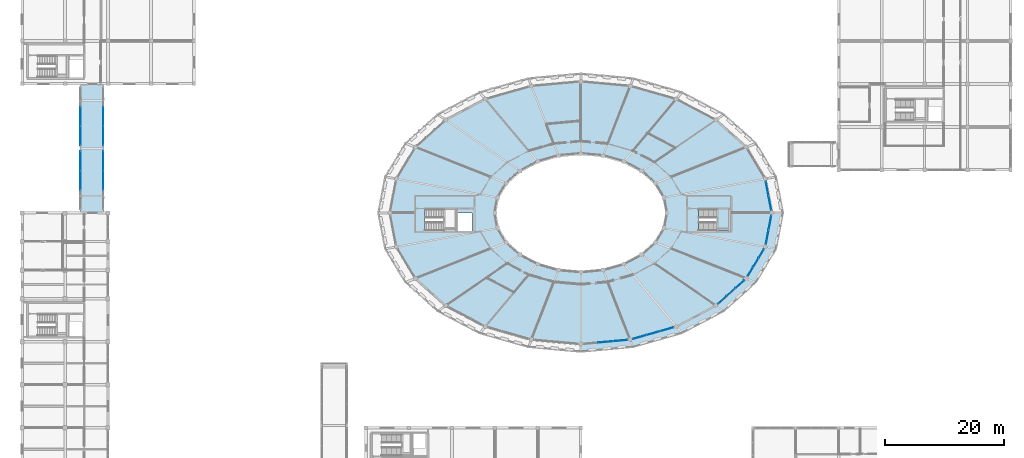
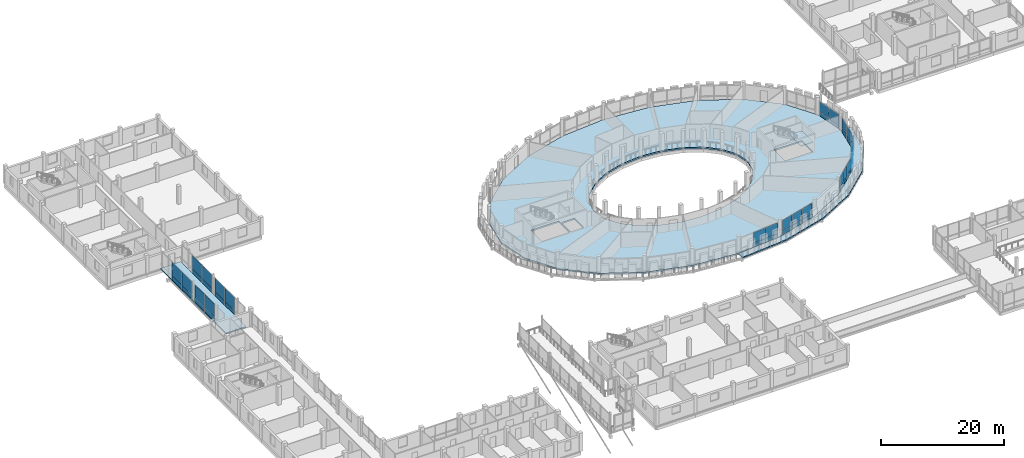
# One storey, part 100 of 128: 46 plates, 4 slabs, 11 elements without a shape of their own.
"""IFC4 building model written with IfcOpenShell, lengths in metres."""

from ifc_helpers import new_model, si_unit, direction, frame, origin, origin_2d, place, context, subcontext, project, spatial, polyline, rectangle, outline, extrude, material, layer, layer_set, type_object, element, aggregate, save


model = new_model("IFC4")

# Units and contexts
model_context = context("Model", 3, precision=1e-05, world=origin(), true_north=direction((0.0, 1.0)))
body_context = subcontext(model_context, "Body", "Model", "MODEL_VIEW")
ifc_project = project(units=[si_unit("LENGTHUNIT", "METRE"), si_unit("AREAUNIT", "SQUARE_METRE"), si_unit("VOLUMEUNIT", "CUBIC_METRE"), si_unit("PLANEANGLEUNIT", "RADIAN"), si_unit("MASSUNIT", "GRAM", prefix="KILO")], contexts=[model_context])

# Site, building, storey
site_placement = place(None, origin())
site = spatial("IfcSite", under=ifc_project, at=site_placement, CompositionType="ELEMENT")
building_placement = place(site_placement, origin())
building = spatial("IfcBuilding", under=site, at=building_placement, Name="Zornivar Specialist Clinic", CompositionType="ELEMENT")
storey_placement = place(building_placement, frame((0.0, 0.0, 4.5)))
storey = spatial("IfcBuildingStorey", under=building, at=storey_placement, Name="L01", CompositionType="ELEMENT", Elevation=4.5)

# Curtain wall, plates
ifc_material_1 = material(Name="Aluminium and Low-E Glass Curtain Wall", Category="aluminium")
curtain_wall_type_1 = type_object("IfcCurtainWallType", Name="CW-DRUM-FACET", PredefinedType="NOTDEFINED", material=ifc_material_1)
curtain_wall_1_placement = place(storey_placement, origin())
curtain_wall_1 = element("IfcCurtainWall", 1, at=curtain_wall_1_placement, inside=storey, type_object=curtain_wall_type_1, Name="cw:V1:L01:c23", PredefinedType="NOTDEFINED")
ifc_material_2 = material(Name="Insulated Bronze Spandrel Panel")
ifc_layer_1 = layer(ifc_material_2, 0.048095703125)
ifc_layer_set_1 = layer_set([ifc_layer_1], Name="Insulated Bronze Spandrel Panel")
plate_type_1 = type_object("IfcPlateType", Name="CWP-SPN-A", PredefinedType="CURTAIN_PANEL", material=ifc_layer_set_1)
plate_1_placement = place(storey_placement, frame((124.827880859375, 53.56494140625, 0.03076171875), z_axis=(0.0, 0.0, 1.0), x_axis=(0.187896976838, 0.982188742602, 0.0)))
plate_1 = element("IfcPlate", 2, at=plate_1_placement, type_object=plate_type_1, Name="cw:V1:L01:c23:spn:0", PredefinedType="CURTAIN_PANEL", context=body_context, shape_type="SweptSolid", body=[
    extrude(rectangle(XDim=2.34912109375, YDim=0.048095703125, at=origin_2d()), origin(), (0.0, 0.0, 1.0), 0.722900390625),
])
plate_2_placement = place(storey_placement, frame((125.282958984375, 55.94091796875, 0.03076171875), z_axis=(0.0, 0.0, 1.0), x_axis=(0.187896976838, 0.982188742602, 0.0)))
plate_2 = element("IfcPlate", 3, at=plate_2_placement, type_object=plate_type_1, Name="cw:V1:L01:c23:spn:1", PredefinedType="CURTAIN_PANEL", context=body_context, shape_type="SweptSolid", body=[
    extrude(rectangle(XDim=2.34912109375, YDim=0.048095703125, at=origin_2d()), origin(), (0.0, 0.0, 1.0), 0.722900390625),
])

curtain_wall_2_placement = place(storey_placement, origin())
curtain_wall_2 = element("IfcCurtainWall", 4, at=curtain_wall_2_placement, inside=storey, type_object=curtain_wall_type_1, Name="cw:V1:L01:c00", PredefinedType="NOTDEFINED")
ifc_material_3 = material(Name="Insulated Bronze Spandrel Panel")
ifc_layer_2 = layer(ifc_material_3, 0.048095703125)
ifc_layer_set_2 = layer_set([ifc_layer_2], Name="Insulated Bronze Spandrel Panel")
plate_type_2 = type_object("IfcPlateType", Name="CWP-SPN-B", PredefinedType="CURTAIN_PANEL", material=ifc_layer_set_2)
plate_3_placement = place(storey_placement, frame((125.281982421875, 59.259033203125, 0.03076171875), z_axis=(0.0, 0.0, 1.0), x_axis=(-0.187896976838, 0.982188742602, 0.0)))
plate_3 = element("IfcPlate", 5, at=plate_3_placement, type_object=plate_type_2, Name="cw:V1:L01:c00:spn:0", PredefinedType="CURTAIN_PANEL", context=body_context, shape_type="SweptSolid", body=[
    extrude(rectangle(XDim=2.34912109375, YDim=0.048095703125, at=origin_2d()), origin(), (0.0, 0.0, 1.0), 0.722900390625),
])
plate_4_placement = place(storey_placement, frame((124.826904296875, 61.635009765625, 0.03076171875), z_axis=(0.0, 0.0, 1.0), x_axis=(-0.187896976838, 0.982188742602, 0.0)))
plate_4 = element("IfcPlate", 6, at=plate_4_placement, type_object=plate_type_2, Name="cw:V1:L01:c00:spn:1", PredefinedType="CURTAIN_PANEL", context=body_context, shape_type="SweptSolid", body=[
    extrude(rectangle(XDim=2.34912109375, YDim=0.048095703125, at=origin_2d()), origin(), (0.0, 0.0, 1.0), 0.722900390625),
])

curtain_wall_3_placement = place(storey_placement, origin())
curtain_wall_3 = element("IfcCurtainWall", 7, at=curtain_wall_3_placement, inside=storey, type_object=curtain_wall_type_1, Name="cw:V1:L01:c18", PredefinedType="NOTDEFINED")
plate_5_placement = place(storey_placement, frame((97.740966796875, 35.97509765625, 0.03076171875), z_axis=(0.0, 0.0, 1.0), x_axis=(0.995932792393, 0.09009923993, 0.0)))
plate_5 = element("IfcPlate", 8, at=plate_5_placement, type_object=plate_type_2, Name="cw:V1:L01:c18:spn:1", PredefinedType="CURTAIN_PANEL", context=body_context, shape_type="SweptSolid", body=[
    extrude(rectangle(XDim=2.382080078125, YDim=0.048095703125, at=origin_2d()), origin(), (0.0, 0.0, 1.0), 0.722900390625),
])
plate_6_placement = place(storey_placement, frame((100.18310546875, 36.196044921875, 0.03076171875), z_axis=(0.0, 0.0, 1.0), x_axis=(0.995932792393, 0.09009923993, 0.0)))
plate_6 = element("IfcPlate", 9, at=plate_6_placement, type_object=plate_type_2, Name="cw:V1:L01:c18:spn:2", PredefinedType="CURTAIN_PANEL", context=body_context, shape_type="SweptSolid", body=[
    extrude(rectangle(XDim=2.382080078125, YDim=0.048095703125, at=origin_2d()), origin(), (0.0, 0.0, 1.0), 0.722900390625),
])

curtain_wall_4_placement = place(storey_placement, origin())
curtain_wall_4 = element("IfcCurtainWall", 10, at=curtain_wall_4_placement, inside=storey, type_object=curtain_wall_type_1, Name="cw:V1:L01:c19", PredefinedType="NOTDEFINED")
ifc_material_4 = material(Name="Insulated Bronze Spandrel Panel")
ifc_layer_3 = layer(ifc_material_4, 0.048095703125)
ifc_layer_set_3 = layer_set([ifc_layer_3], Name="Insulated Bronze Spandrel Panel")
plate_type_3 = type_object("IfcPlateType", Name="CWP-SPN-C", PredefinedType="CURTAIN_PANEL", material=ifc_layer_set_3)
plate_7_placement = place(storey_placement, frame((103.47607421875, 36.802978515625, 0.03076171875), z_axis=(0.0, 0.0, 1.0), x_axis=(0.961761244933, 0.273889225319, 0.0)))
plate_7 = element("IfcPlate", 11, at=plate_7_placement, type_object=plate_type_3, Name="cw:V1:L01:c19:spn:0", PredefinedType="CURTAIN_PANEL", context=body_context, shape_type="SweptSolid", body=[
    extrude(rectangle(XDim=2.284912109375, YDim=0.048095703125, at=origin_2d()), origin(), (0.0, 0.0, 1.0), 0.722900390625),
])
plate_8_placement = place(storey_placement, frame((105.740966796875, 37.447998046875, 0.03076171875), z_axis=(0.0, 0.0, 1.0), x_axis=(0.961761244933, 0.273889225319, 0.0)))
plate_8 = element("IfcPlate", 12, at=plate_8_placement, type_object=plate_type_3, Name="cw:V1:L01:c19:spn:1", PredefinedType="CURTAIN_PANEL", context=body_context, shape_type="SweptSolid", body=[
    extrude(rectangle(XDim=2.284912109375, YDim=0.048095703125, at=origin_2d()), origin(), (0.0, 0.0, 1.0), 0.722900390625),
])
plate_9_placement = place(storey_placement, frame((108.006103515625, 38.093017578125, 0.03076171875), z_axis=(0.0, 0.0, 1.0), x_axis=(0.961761244933, 0.273889225319, 0.0)))
plate_9 = element("IfcPlate", 13, at=plate_9_placement, type_object=plate_type_3, Name="cw:V1:L01:c19:spn:2", PredefinedType="CURTAIN_PANEL", context=body_context, shape_type="SweptSolid", body=[
    extrude(rectangle(XDim=2.284912109375, YDim=0.048095703125, at=origin_2d()), origin(), (0.0, 0.0, 1.0), 0.722900390625),
])

curtain_wall_5_placement = place(storey_placement, origin())
curtain_wall_5 = element("IfcCurtainWall", 14, at=curtain_wall_5_placement, inside=storey, type_object=curtain_wall_type_1, Name="cw:V1:L01:c21", PredefinedType="NOTDEFINED")
ifc_material_5 = material(Name="Insulated Bronze Spandrel Panel")
ifc_layer_4 = layer(ifc_material_5, 0.0458984375)
ifc_layer_set_4 = layer_set([ifc_layer_4], Name="Insulated Bronze Spandrel Panel")
plate_type_4 = type_object("IfcPlateType", Name="CWP-SPN-E", PredefinedType="CURTAIN_PANEL", material=ifc_layer_set_4)
plate_10_placement = place(storey_placement, frame((117.31298828125, 43.01708984375, 0.03076171875), z_axis=(0.0, 0.0, 1.0), x_axis=(0.744880599036, 0.667197791648, 0.0)))
plate_10 = element("IfcPlate", 15, at=plate_10_placement, type_object=plate_type_4, Name="cw:V1:L01:c21:spn:0", PredefinedType="CURTAIN_PANEL", context=body_context, shape_type="SweptSolid", body=[
    extrude(rectangle(XDim=1.885986328125, YDim=0.0458984375, at=origin_2d()), origin(), (0.0, 0.0, 1.0), 0.722900390625),
])
plate_11_placement = place(storey_placement, frame((118.77001953125, 44.322021484375, 0.03076171875), z_axis=(0.0, 0.0, 1.0), x_axis=(0.744880599036, 0.667197791648, 0.0)))
plate_11 = element("IfcPlate", 16, at=plate_11_placement, type_object=plate_type_4, Name="cw:V1:L01:c21:spn:1", PredefinedType="CURTAIN_PANEL", context=body_context, shape_type="SweptSolid", body=[
    extrude(rectangle(XDim=1.885986328125, YDim=0.0458984375, at=origin_2d()), origin(), (0.0, 0.0, 1.0), 0.722900390625),
])
plate_12_placement = place(storey_placement, frame((120.22705078125, 45.626953125, 0.03076171875), z_axis=(0.0, 0.0, 1.0), x_axis=(0.744880599036, 0.667197791648, 0.0)))
plate_12 = element("IfcPlate", 17, at=plate_12_placement, type_object=plate_type_4, Name="cw:V1:L01:c21:spn:2", PredefinedType="CURTAIN_PANEL", context=body_context, shape_type="SweptSolid", body=[
    extrude(rectangle(XDim=1.885009765625, YDim=0.0458984375, at=origin_2d()), origin(), (0.0, 0.0, 1.0), 0.722900390625),
])

ifc_material_6 = material(Name="Aluminium and Low-E Glass Curtain Wall", Category="aluminium")
curtain_wall_type_2 = type_object("IfcCurtainWallType", Name="CW-BRIDGE-LINK", PredefinedType="NOTDEFINED", material=ifc_material_6)
curtain_wall_6_placement = place(storey_placement, origin())
curtain_wall_6 = element("IfcCurtainWall", 18, at=curtain_wall_6_placement, inside=storey, type_object=curtain_wall_type_2, Name="cw:BR2:L01:W:0", PredefinedType="NOTDEFINED")
plate_13_placement = place(storey_placement, frame((9.800048828125, 63.06005859375, 0.030029296875), z_axis=(0.0, 0.0, 1.0), x_axis=(0.0, 1.0, 0.0)))
plate_13 = element("IfcPlate", 19, at=plate_13_placement, type_object=plate_type_4, Name="cw:BR2:L01:W:0:spn:1", PredefinedType="CURTAIN_PANEL", context=body_context, shape_type="SweptSolid", body=[
    extrude(rectangle(XDim=3.169921875, YDim=0.0458984375, at=origin_2d()), origin(), (0.0, 0.0, 1.0), 0.7900390625),
])
plate_14_placement = place(storey_placement, frame((9.800048828125, 66.300048828125, 0.030029296875), z_axis=(0.0, 0.0, 1.0), x_axis=(0.0, 1.0, 0.0)))
plate_14 = element("IfcPlate", 20, at=plate_14_placement, type_object=plate_type_4, Name="cw:BR2:L01:W:0:spn:2", PredefinedType="CURTAIN_PANEL", context=body_context, shape_type="SweptSolid", body=[
    extrude(rectangle(XDim=3.169921875, YDim=0.0458984375, at=origin_2d()), origin(), (0.0, 0.0, 1.0), 0.7900390625),
])

curtain_wall_7_placement = place(storey_placement, origin())
curtain_wall_7 = element("IfcCurtainWall", 21, at=curtain_wall_7_placement, inside=storey, type_object=curtain_wall_type_2, Name="cw:BR2:L01:W:1", PredefinedType="NOTDEFINED")
plate_15_placement = place(storey_placement, frame((9.800048828125, 70.5, 0.030029296875), z_axis=(0.0, 0.0, 1.0), x_axis=(0.0, 1.0, 0.0)))
plate_15 = element("IfcPlate", 22, at=plate_15_placement, type_object=plate_type_4, Name="cw:BR2:L01:W:1:spn:0", PredefinedType="CURTAIN_PANEL", context=body_context, shape_type="SweptSolid", body=[
    extrude(rectangle(XDim=3.169921875, YDim=0.0458984375, at=origin_2d()), origin(), (0.0, 0.0, 1.0), 0.7900390625),
])
plate_16_placement = place(storey_placement, frame((9.800048828125, 73.739990234375, 0.030029296875), z_axis=(0.0, 0.0, 1.0), x_axis=(0.0, 1.0, 0.0)))
plate_16 = element("IfcPlate", 23, at=plate_16_placement, type_object=plate_type_4, Name="cw:BR2:L01:W:1:spn:1", PredefinedType="CURTAIN_PANEL", context=body_context, shape_type="SweptSolid", body=[
    extrude(rectangle(XDim=3.169921875, YDim=0.0458984375, at=origin_2d()), origin(), (0.0, 0.0, 1.0), 0.7900390625),
])

curtain_wall_8_placement = place(storey_placement, origin())
curtain_wall_8 = element("IfcCurtainWall", 24, at=curtain_wall_8_placement, inside=storey, type_object=curtain_wall_type_2, Name="cw:BR2:L01:E:0", PredefinedType="NOTDEFINED")
plate_17_placement = place(storey_placement, frame((13.60009765625, 63.06005859375, 0.030029296875), z_axis=(0.0, 0.0, 1.0), x_axis=(0.0, 1.0, 0.0)))
plate_17 = element("IfcPlate", 25, at=plate_17_placement, type_object=plate_type_4, Name="cw:BR2:L01:E:0:spn:1", PredefinedType="CURTAIN_PANEL", context=body_context, shape_type="SweptSolid", body=[
    extrude(rectangle(XDim=3.169921875, YDim=0.0458984375, at=origin_2d()), origin(), (0.0, 0.0, 1.0), 0.7900390625),
])
plate_18_placement = place(storey_placement, frame((13.60009765625, 66.300048828125, 0.030029296875), z_axis=(0.0, 0.0, 1.0), x_axis=(0.0, 1.0, 0.0)))
plate_18 = element("IfcPlate", 26, at=plate_18_placement, type_object=plate_type_4, Name="cw:BR2:L01:E:0:spn:2", PredefinedType="CURTAIN_PANEL", context=body_context, shape_type="SweptSolid", body=[
    extrude(rectangle(XDim=3.169921875, YDim=0.0458984375, at=origin_2d()), origin(), (0.0, 0.0, 1.0), 0.7900390625),
])

curtain_wall_9_placement = place(storey_placement, origin())
curtain_wall_9 = element("IfcCurtainWall", 27, at=curtain_wall_9_placement, inside=storey, type_object=curtain_wall_type_2, Name="cw:BR2:L01:E:1", PredefinedType="NOTDEFINED")
plate_19_placement = place(storey_placement, frame((13.60009765625, 70.5, 0.030029296875), z_axis=(0.0, 0.0, 1.0), x_axis=(0.0, 1.0, 0.0)))
plate_19 = element("IfcPlate", 28, at=plate_19_placement, type_object=plate_type_4, Name="cw:BR2:L01:E:1:spn:0", PredefinedType="CURTAIN_PANEL", context=body_context, shape_type="SweptSolid", body=[
    extrude(rectangle(XDim=3.169921875, YDim=0.0458984375, at=origin_2d()), origin(), (0.0, 0.0, 1.0), 0.7900390625),
])
plate_20_placement = place(storey_placement, frame((13.60009765625, 73.739990234375, 0.030029296875), z_axis=(0.0, 0.0, 1.0), x_axis=(0.0, 1.0, 0.0)))
plate_20 = element("IfcPlate", 29, at=plate_20_placement, type_object=plate_type_4, Name="cw:BR2:L01:E:1:spn:1", PredefinedType="CURTAIN_PANEL", context=body_context, shape_type="SweptSolid", body=[
    extrude(rectangle(XDim=3.169921875, YDim=0.0458984375, at=origin_2d()), origin(), (0.0, 0.0, 1.0), 0.7900390625),
])

curtain_wall_10_placement = place(storey_placement, origin())
curtain_wall_10 = element("IfcCurtainWall", 30, at=curtain_wall_10_placement, inside=storey, type_object=curtain_wall_type_1, Name="cw:V1:L01:c22", PredefinedType="NOTDEFINED")
ifc_material_7 = material(Name="Insulated Terracotta Spandrel Panel", Category="masonry")
ifc_layer_5 = layer(ifc_material_7, 0.05810546875)
ifc_layer_set_5 = layer_set([ifc_layer_5], Name="Insulated Terracotta Spandrel Panel")
plate_type_5 = type_object("IfcPlateType", Name="CWP-SPN-F", PredefinedType="CURTAIN_PANEL", material=ifc_layer_set_5)
plate_21_placement = place(storey_placement, frame((122.010986328125, 47.759033203125, 0.03076171875), z_axis=(0.0, 0.0, 1.0), x_axis=(0.516127401954, 0.856511824175, 0.0)))
plate_21 = element("IfcPlate", 31, at=plate_21_placement, type_object=plate_type_5, Name="cw:V1:L01:c22:spn:0", PredefinedType="CURTAIN_PANEL", context=body_context, shape_type="SweptSolid", body=[
    extrude(rectangle(XDim=1.675048828125, YDim=0.05810546875, at=origin_2d()), origin(), (0.0, 0.0, 1.0), 0.722900390625),
])
plate_22_placement = place(storey_placement, frame((122.910888671875, 49.2529296875, 0.03076171875), z_axis=(0.0, 0.0, 1.0), x_axis=(0.516127401954, 0.856511824175, 0.0)))
plate_22 = element("IfcPlate", 32, at=plate_22_placement, type_object=plate_type_5, Name="cw:V1:L01:c22:spn:1", PredefinedType="CURTAIN_PANEL", context=body_context, shape_type="SweptSolid", body=[
    extrude(rectangle(XDim=1.675048828125, YDim=0.05810546875, at=origin_2d()), origin(), (0.0, 0.0, 1.0), 0.722900390625),
])
plate_23_placement = place(storey_placement, frame((123.81201171875, 50.748046875, 0.03076171875), z_axis=(0.0, 0.0, 1.0), x_axis=(0.516127401954, 0.856511824175, 0.0)))
plate_23 = element("IfcPlate", 33, at=plate_23_placement, type_object=plate_type_5, Name="cw:V1:L01:c22:spn:2", PredefinedType="CURTAIN_PANEL", context=body_context, shape_type="SweptSolid", body=[
    extrude(rectangle(XDim=1.675048828125, YDim=0.05810546875, at=origin_2d()), origin(), (0.0, 0.0, 1.0), 0.722900390625),
])

# Plate
ifc_material_8 = material(Name="Triple Low-E Vision Glass", Category="glass")
ifc_layer_6 = layer(ifc_material_8, 0.035888671875)
ifc_layer_set_6 = layer_set([ifc_layer_6], Name="Triple Low-E Vision Glass")
plate_type_6 = type_object("IfcPlateType", Name="CWP-VIS-A", PredefinedType="CURTAIN_PANEL", material=ifc_layer_set_6)
plate_24_placement = place(storey_placement, frame((103.47607421875, 36.802978515625, 0.81787109375), z_axis=(0.0, 0.0, 1.0), x_axis=(0.961761244933, 0.273889225319, 0.0)))
plate_24 = element("IfcPlate", 34, at=plate_24_placement, type_object=plate_type_6, Name="cw:V1:L01:c19:vis:0", PredefinedType="CURTAIN_PANEL", context=body_context, shape_type="SweptSolid", body=[
    extrude(rectangle(XDim=2.284912109375, YDim=0.035888671875, at=origin_2d()), origin(), (0.0, 0.0, 1.0), 2.092041015625),
])

plate_25_placement = place(storey_placement, frame((105.740966796875, 37.447998046875, 0.81787109375), z_axis=(0.0, 0.0, 1.0), x_axis=(0.961761244933, 0.273889225319, 0.0)))
plate_25 = element("IfcPlate", 35, at=plate_25_placement, type_object=plate_type_6, Name="cw:V1:L01:c19:vis:1", PredefinedType="CURTAIN_PANEL", context=body_context, shape_type="SweptSolid", body=[
    extrude(rectangle(XDim=2.284912109375, YDim=0.035888671875, at=origin_2d()), origin(), (0.0, 0.0, 1.0), 2.092041015625),
])

plate_26_placement = place(storey_placement, frame((108.006103515625, 38.093017578125, 0.81787109375), z_axis=(0.0, 0.0, 1.0), x_axis=(0.961761244933, 0.273889225319, 0.0)))
plate_26 = element("IfcPlate", 36, at=plate_26_placement, type_object=plate_type_6, Name="cw:V1:L01:c19:vis:2", PredefinedType="CURTAIN_PANEL", context=body_context, shape_type="SweptSolid", body=[
    extrude(rectangle(XDim=2.284912109375, YDim=0.035888671875, at=origin_2d()), origin(), (0.0, 0.0, 1.0), 2.092041015625),
])

aggregate(curtain_wall_4, [plate_7, plate_24, plate_8, plate_25, plate_9, plate_26])

ifc_material_9 = material(Name="Triple Low-E Vision Glass", Category="glass")
ifc_layer_7 = layer(ifc_material_9, 0.035888671875)
ifc_layer_set_7 = layer_set([ifc_layer_7], Name="Triple Low-E Vision Glass")
plate_type_7 = type_object("IfcPlateType", Name="CWP-VIS-B", PredefinedType="CURTAIN_PANEL", material=ifc_layer_set_7)
plate_27_placement = place(storey_placement, frame((125.281982421875, 59.259033203125, 0.81787109375), z_axis=(0.0, 0.0, 1.0), x_axis=(-0.187896976838, 0.982188742602, 0.0)))
plate_27 = element("IfcPlate", 37, at=plate_27_placement, type_object=plate_type_7, Name="cw:V1:L01:c00:vis:0", PredefinedType="CURTAIN_PANEL", context=body_context, shape_type="SweptSolid", body=[
    extrude(rectangle(XDim=2.34912109375, YDim=0.035888671875, at=origin_2d()), origin(), (0.0, 0.0, 1.0), 2.092041015625),
])

plate_28_placement = place(storey_placement, frame((124.826904296875, 61.635009765625, 0.81787109375), z_axis=(0.0, 0.0, 1.0), x_axis=(-0.187896976838, 0.982188742602, 0.0)))
plate_28 = element("IfcPlate", 38, at=plate_28_placement, type_object=plate_type_7, Name="cw:V1:L01:c00:vis:1", PredefinedType="CURTAIN_PANEL", context=body_context, shape_type="SweptSolid", body=[
    extrude(rectangle(XDim=2.34912109375, YDim=0.035888671875, at=origin_2d()), origin(), (0.0, 0.0, 1.0), 2.092041015625),
])

aggregate(curtain_wall_2, [plate_3, plate_27, plate_4, plate_28])

ifc_material_10 = material(Name="Triple Low-E Vision Glass", Category="glass")
ifc_layer_8 = layer(ifc_material_10, 0.035888671875)
ifc_layer_set_8 = layer_set([ifc_layer_8], Name="Triple Low-E Vision Glass")
plate_type_8 = type_object("IfcPlateType", Name="CWP-VIS-C", PredefinedType="CURTAIN_PANEL", material=ifc_layer_set_8)
plate_29_placement = place(storey_placement, frame((117.31298828125, 43.01708984375, 0.81787109375), z_axis=(0.0, 0.0, 1.0), x_axis=(0.744880599036, 0.667197791648, 0.0)))
plate_29 = element("IfcPlate", 39, at=plate_29_placement, type_object=plate_type_8, Name="cw:V1:L01:c21:vis:0", PredefinedType="CURTAIN_PANEL", context=body_context, shape_type="SweptSolid", body=[
    extrude(rectangle(XDim=1.885986328125, YDim=0.035888671875, at=origin_2d()), origin(), (0.0, 0.0, 1.0), 2.092041015625),
])

plate_30_placement = place(storey_placement, frame((118.77001953125, 44.322021484375, 0.81787109375), z_axis=(0.0, 0.0, 1.0), x_axis=(0.744880599036, 0.667197791648, 0.0)))
plate_30 = element("IfcPlate", 40, at=plate_30_placement, type_object=plate_type_8, Name="cw:V1:L01:c21:vis:1", PredefinedType="CURTAIN_PANEL", context=body_context, shape_type="SweptSolid", body=[
    extrude(rectangle(XDim=1.885986328125, YDim=0.035888671875, at=origin_2d()), origin(), (0.0, 0.0, 1.0), 2.092041015625),
])

plate_31_placement = place(storey_placement, frame((120.22705078125, 45.626953125, 0.81787109375), z_axis=(0.0, 0.0, 1.0), x_axis=(0.744880599036, 0.667197791648, 0.0)))
plate_31 = element("IfcPlate", 41, at=plate_31_placement, type_object=plate_type_8, Name="cw:V1:L01:c21:vis:2", PredefinedType="CURTAIN_PANEL", context=body_context, shape_type="SweptSolid", body=[
    extrude(rectangle(XDim=1.885009765625, YDim=0.035888671875, at=origin_2d()), origin(), (0.0, 0.0, 1.0), 2.092041015625),
])

aggregate(curtain_wall_5, [plate_10, plate_29, plate_11, plate_30, plate_12, plate_31])

ifc_material_11 = material(Name="Triple Low-E Vision Glass", Category="glass")
ifc_layer_9 = layer(ifc_material_11, 0.0380859375)
ifc_layer_set_9 = layer_set([ifc_layer_9], Name="Triple Low-E Vision Glass")
plate_type_9 = type_object("IfcPlateType", Name="CWP-VIS-D", PredefinedType="CURTAIN_PANEL", material=ifc_layer_set_9)
plate_32_placement = place(storey_placement, frame((122.010986328125, 47.759033203125, 0.81787109375), z_axis=(0.0, 0.0, 1.0), x_axis=(0.516127401954, 0.856511824175, 0.0)))
plate_32 = element("IfcPlate", 42, at=plate_32_placement, type_object=plate_type_9, Name="cw:V1:L01:c22:vis:0", PredefinedType="CURTAIN_PANEL", context=body_context, shape_type="SweptSolid", body=[
    extrude(rectangle(XDim=1.675048828125, YDim=0.0380859375, at=origin_2d()), origin(), (0.0, 0.0, 1.0), 2.092041015625),
])

plate_33_placement = place(storey_placement, frame((122.910888671875, 49.2529296875, 0.81787109375), z_axis=(0.0, 0.0, 1.0), x_axis=(0.516127401954, 0.856511824175, 0.0)))
plate_33 = element("IfcPlate", 43, at=plate_33_placement, type_object=plate_type_9, Name="cw:V1:L01:c22:vis:1", PredefinedType="CURTAIN_PANEL", context=body_context, shape_type="SweptSolid", body=[
    extrude(rectangle(XDim=1.675048828125, YDim=0.0380859375, at=origin_2d()), origin(), (0.0, 0.0, 1.0), 2.092041015625),
])

plate_34_placement = place(storey_placement, frame((123.81201171875, 50.748046875, 0.81787109375), z_axis=(0.0, 0.0, 1.0), x_axis=(0.516127401954, 0.856511824175, 0.0)))
plate_34 = element("IfcPlate", 44, at=plate_34_placement, type_object=plate_type_9, Name="cw:V1:L01:c22:vis:2", PredefinedType="CURTAIN_PANEL", context=body_context, shape_type="SweptSolid", body=[
    extrude(rectangle(XDim=1.675048828125, YDim=0.0380859375, at=origin_2d()), origin(), (0.0, 0.0, 1.0), 2.092041015625),
])

aggregate(curtain_wall_10, [plate_21, plate_32, plate_22, plate_33, plate_23, plate_34])

ifc_material_12 = material(Name="Triple Low-E Vision Glass", Category="glass")
ifc_layer_10 = layer(ifc_material_12, 0.035888671875)
ifc_layer_set_10 = layer_set([ifc_layer_10], Name="Triple Low-E Vision Glass")
plate_type_10 = type_object("IfcPlateType", Name="CWP-VIS-E", PredefinedType="CURTAIN_PANEL", material=ifc_layer_set_10)
plate_35_placement = place(storey_placement, frame((124.827880859375, 53.56494140625, 0.81787109375), z_axis=(0.0, 0.0, 1.0), x_axis=(0.187896976838, 0.982188742602, 0.0)))
plate_35 = element("IfcPlate", 45, at=plate_35_placement, type_object=plate_type_10, Name="cw:V1:L01:c23:vis:0", PredefinedType="CURTAIN_PANEL", context=body_context, shape_type="SweptSolid", body=[
    extrude(rectangle(XDim=2.34912109375, YDim=0.035888671875, at=origin_2d()), origin(), (0.0, 0.0, 1.0), 2.092041015625),
])

plate_36_placement = place(storey_placement, frame((125.282958984375, 55.94091796875, 0.81787109375), z_axis=(0.0, 0.0, 1.0), x_axis=(0.187896976838, 0.982188742602, 0.0)))
plate_36 = element("IfcPlate", 46, at=plate_36_placement, type_object=plate_type_10, Name="cw:V1:L01:c23:vis:1", PredefinedType="CURTAIN_PANEL", context=body_context, shape_type="SweptSolid", body=[
    extrude(rectangle(XDim=2.34912109375, YDim=0.035888671875, at=origin_2d()), origin(), (0.0, 0.0, 1.0), 2.092041015625),
])

aggregate(curtain_wall_1, [plate_1, plate_35, plate_2, plate_36])

ifc_material_13 = material(Name="Solar-Control Wintergarden Glass", Category="glass")
ifc_layer_11 = layer(ifc_material_13, 0.0380859375)
ifc_layer_set_11 = layer_set([ifc_layer_11], Name="Solar-Control Wintergarden Glass")
plate_type_11 = type_object("IfcPlateType", Name="CWP-VIS-L", PredefinedType="CURTAIN_PANEL", material=ifc_layer_set_11)
plate_37_placement = place(storey_placement, frame((97.740966796875, 35.97509765625, 0.81787109375), z_axis=(0.0, 0.0, 1.0), x_axis=(0.995932792393, 0.09009923993, 0.0)))
plate_37 = element("IfcPlate", 47, at=plate_37_placement, type_object=plate_type_11, Name="cw:V1:L01:c18:vis:1", PredefinedType="CURTAIN_PANEL", context=body_context, shape_type="SweptSolid", body=[
    extrude(rectangle(XDim=2.382080078125, YDim=0.0380859375, at=origin_2d()), origin(), (0.0, 0.0, 1.0), 2.092041015625),
])

plate_38_placement = place(storey_placement, frame((100.18310546875, 36.196044921875, 0.81787109375), z_axis=(0.0, 0.0, 1.0), x_axis=(0.995932792393, 0.09009923993, 0.0)))
plate_38 = element("IfcPlate", 48, at=plate_38_placement, type_object=plate_type_11, Name="cw:V1:L01:c18:vis:2", PredefinedType="CURTAIN_PANEL", context=body_context, shape_type="SweptSolid", body=[
    extrude(rectangle(XDim=2.382080078125, YDim=0.0380859375, at=origin_2d()), origin(), (0.0, 0.0, 1.0), 2.092041015625),
])

aggregate(curtain_wall_3, [plate_5, plate_37, plate_6, plate_38])

ifc_material_14 = material(Name="Bridge Acoustic Laminated Glass", Category="glass")
ifc_layer_12 = layer(ifc_material_14, 0.035888671875)
ifc_layer_set_12 = layer_set([ifc_layer_12], Name="Bridge Acoustic Laminated Glass")
plate_type_12 = type_object("IfcPlateType", Name="CWP-VIS-M", PredefinedType="CURTAIN_PANEL", material=ifc_layer_set_12)
plate_39_placement = place(storey_placement, frame((9.800048828125, 63.06005859375, 0.88427734375), z_axis=(0.0, 0.0, 1.0), x_axis=(0.0, 1.0, 0.0)))
plate_39 = element("IfcPlate", 49, at=plate_39_placement, type_object=plate_type_12, Name="cw:BR2:L01:W:0:vis:1", PredefinedType="CURTAIN_PANEL", context=body_context, shape_type="SweptSolid", body=[
    extrude(rectangle(XDim=3.169921875, YDim=0.035888671875, at=origin_2d()), origin(), (0.0, 0.0, 1.0), 2.655029296875),
])

plate_40_placement = place(storey_placement, frame((9.800048828125, 66.300048828125, 0.88427734375), z_axis=(0.0, 0.0, 1.0), x_axis=(0.0, 1.0, 0.0)))
plate_40 = element("IfcPlate", 50, at=plate_40_placement, type_object=plate_type_12, Name="cw:BR2:L01:W:0:vis:2", PredefinedType="CURTAIN_PANEL", context=body_context, shape_type="SweptSolid", body=[
    extrude(rectangle(XDim=3.169921875, YDim=0.035888671875, at=origin_2d()), origin(), (0.0, 0.0, 1.0), 2.655029296875),
])

aggregate(curtain_wall_6, [plate_13, plate_39, plate_14, plate_40])

plate_41_placement = place(storey_placement, frame((9.800048828125, 70.5, 0.88427734375), z_axis=(0.0, 0.0, 1.0), x_axis=(0.0, 1.0, 0.0)))
plate_41 = element("IfcPlate", 51, at=plate_41_placement, type_object=plate_type_12, Name="cw:BR2:L01:W:1:vis:0", PredefinedType="CURTAIN_PANEL", context=body_context, shape_type="SweptSolid", body=[
    extrude(rectangle(XDim=3.169921875, YDim=0.035888671875, at=origin_2d()), origin(), (0.0, 0.0, 1.0), 2.655029296875),
])

plate_42_placement = place(storey_placement, frame((9.800048828125, 73.739990234375, 0.88427734375), z_axis=(0.0, 0.0, 1.0), x_axis=(0.0, 1.0, 0.0)))
plate_42 = element("IfcPlate", 52, at=plate_42_placement, type_object=plate_type_12, Name="cw:BR2:L01:W:1:vis:1", PredefinedType="CURTAIN_PANEL", context=body_context, shape_type="SweptSolid", body=[
    extrude(rectangle(XDim=3.169921875, YDim=0.035888671875, at=origin_2d()), origin(), (0.0, 0.0, 1.0), 2.655029296875),
])

aggregate(curtain_wall_7, [plate_15, plate_41, plate_16, plate_42])

plate_43_placement = place(storey_placement, frame((13.60009765625, 63.06005859375, 0.88427734375), z_axis=(0.0, 0.0, 1.0), x_axis=(0.0, 1.0, 0.0)))
plate_43 = element("IfcPlate", 53, at=plate_43_placement, type_object=plate_type_12, Name="cw:BR2:L01:E:0:vis:1", PredefinedType="CURTAIN_PANEL", context=body_context, shape_type="SweptSolid", body=[
    extrude(rectangle(XDim=3.169921875, YDim=0.035888671875, at=origin_2d()), origin(), (0.0, 0.0, 1.0), 2.655029296875),
])

plate_44_placement = place(storey_placement, frame((13.60009765625, 66.300048828125, 0.88427734375), z_axis=(0.0, 0.0, 1.0), x_axis=(0.0, 1.0, 0.0)))
plate_44 = element("IfcPlate", 54, at=plate_44_placement, type_object=plate_type_12, Name="cw:BR2:L01:E:0:vis:2", PredefinedType="CURTAIN_PANEL", context=body_context, shape_type="SweptSolid", body=[
    extrude(rectangle(XDim=3.169921875, YDim=0.035888671875, at=origin_2d()), origin(), (0.0, 0.0, 1.0), 2.655029296875),
])

aggregate(curtain_wall_8, [plate_17, plate_43, plate_18, plate_44])

plate_45_placement = place(storey_placement, frame((13.60009765625, 70.5, 0.88427734375), z_axis=(0.0, 0.0, 1.0), x_axis=(0.0, 1.0, 0.0)))
plate_45 = element("IfcPlate", 55, at=plate_45_placement, type_object=plate_type_12, Name="cw:BR2:L01:E:1:vis:0", PredefinedType="CURTAIN_PANEL", context=body_context, shape_type="SweptSolid", body=[
    extrude(rectangle(XDim=3.169921875, YDim=0.035888671875, at=origin_2d()), origin(), (0.0, 0.0, 1.0), 2.655029296875),
])

plate_46_placement = place(storey_placement, frame((13.60009765625, 73.739990234375, 0.88427734375), z_axis=(0.0, 0.0, 1.0), x_axis=(0.0, 1.0, 0.0)))
plate_46 = element("IfcPlate", 56, at=plate_46_placement, type_object=plate_type_12, Name="cw:BR2:L01:E:1:vis:1", PredefinedType="CURTAIN_PANEL", context=body_context, shape_type="SweptSolid", body=[
    extrude(rectangle(XDim=3.169921875, YDim=0.035888671875, at=origin_2d()), origin(), (0.0, 0.0, 1.0), 2.655029296875),
])

aggregate(curtain_wall_9, [plate_19, plate_45, plate_20, plate_46])

# Slabs
ifc_material_15 = material(Name="Concrete C30/37", Category="concrete")
ifc_layer_13 = layer(ifc_material_15, 0.239990234375)
ifc_layer_set_13 = layer_set([ifc_layer_13], Name="Concrete C30/37")
slab_type_1 = type_object("IfcSlabType", Name="SLB-EXT-BALC-240", PredefinedType="FLOOR", material=ifc_layer_set_13)
slab_1_placement = place(storey_placement, frame((0.0, 0.0, -0.239990234375)))
element("IfcSlab", 57, at=slab_1_placement, inside=storey, type_object=slab_type_1, Name="slab:V1:L01:balc:q3", PredefinedType="FLOOR", context=body_context, shape_type="SweptSolid", body=[
    extrude(outline(polyline([(93.60009765625, 35.60009765625), (101.882080078125, 36.35009765625), (109.60009765625, 38.547119140625), (116.22705078125, 42.0439453125), (121.31298828125, 46.60009765625), (124.510009765625, 51.906005859375), (125.60009765625, 57.60009765625), (127.52001953125, 57.60009765625), (126.364013671875, 51.56396484375), (122.97607421875, 45.93994140625), (117.5849609375, 41.110107421875), (110.56005859375, 37.404052734375), (102.37890625, 35.074951171875), (93.60009765625, 34.280029296875), (93.60009765625, 35.60009765625)])), origin(), (0.0, 0.0, 1.0), 0.239990234375),
])
ifc_material_16 = material(Name="Concrete C30/37", Category="concrete")
ifc_layer_14 = layer(ifc_material_16, 0.22998046875)
ifc_layer_set_14 = layer_set([ifc_layer_14], Name="Concrete C30/37")
slab_type_2 = type_object("IfcSlabType", Name="SLB-FLR-BRG-230", PredefinedType="FLOOR", material=ifc_layer_set_14)
slab_2_placement = place(storey_placement, frame((0.0, 0.0, -0.22998046875)))
element("IfcSlab", 58, at=slab_2_placement, inside=storey, type_object=slab_type_2, Name="slab:BR2:L01:deck", PredefinedType="FLOOR", context=body_context, shape_type="SweptSolid", body=[
    extrude(outline(polyline([(9.800048828125, 57.719970703125), (13.60009765625, 57.719970703125), (13.60009765625, 79.080078125), (9.800048828125, 79.080078125), (9.800048828125, 57.719970703125)])), origin(), (0.0, 0.0, 1.0), 0.22998046875),
])
ifc_material_17 = material(Name="Concrete C30/37", Category="concrete")
ifc_layer_15 = layer(ifc_material_17, 0.2900390625)
ifc_layer_set_15 = layer_set([ifc_layer_15], Name="Concrete C30/37")
slab_type_3 = type_object("IfcSlabType", Name="SLB-FLR-DRUM-290", PredefinedType="FLOOR", material=ifc_layer_set_15)
slab_3_placement = place(storey_placement, frame((0.0, 0.0, -0.2900390625)))
element("IfcSlab", 59, at=slab_3_placement, inside=storey, type_object=slab_type_3, Name="slab:V1:L01:ring", PredefinedType="FLOOR", context=body_context, shape_type="SweptSolid", body=[
    extrude(outline(polyline([(125.60009765625, 57.60009765625), (124.510009765625, 63.2939453125), (121.31298828125, 68.60009765625), (116.22705078125, 73.156005859375), (109.60009765625, 76.653076171875), (101.882080078125, 78.85009765625), (93.60009765625, 79.60009765625), (85.318115234375, 78.85009765625), (77.60009765625, 76.653076171875), (70.972900390625, 73.156005859375), (65.886962890625, 68.60009765625), (62.68994140625, 63.2939453125), (61.60009765625, 57.60009765625), (62.68994140625, 51.906005859375), (65.886962890625, 46.60009765625), (70.972900390625, 42.0439453125), (77.60009765625, 38.547119140625), (85.318115234375, 36.35009765625), (93.60009765625, 35.60009765625), (101.882080078125, 36.35009765625), (109.60009765625, 38.547119140625), (116.22705078125, 42.0439453125), (121.31298828125, 46.60009765625), (124.510009765625, 51.906005859375), (125.60009765625, 57.60009765625)]), holes=[polyline([(108.0, 57.60009765625), (107.509033203125, 60.162109375), (106.071044921875, 62.550048828125), (103.781982421875, 64.60009765625), (100.800048828125, 66.174072265625), (97.326904296875, 67.1630859375), (93.60009765625, 67.5), (89.873046875, 67.1630859375), (86.39990234375, 66.174072265625), (83.41796875, 64.60009765625), (81.12890625, 62.550048828125), (79.69091796875, 60.162109375), (79.199951171875, 57.60009765625), (79.69091796875, 55.0380859375), (81.12890625, 52.64990234375), (83.41796875, 50.60009765625), (86.39990234375, 49.02587890625), (89.873046875, 48.037109375), (93.60009765625, 47.699951171875), (97.326904296875, 48.037109375), (100.800048828125, 49.02587890625), (103.781982421875, 50.60009765625), (106.071044921875, 52.64990234375), (107.509033203125, 55.0380859375), (108.0, 57.60009765625)]), polyline([(67.52001953125, 54.60009765625), (72.800048828125, 54.60009765625), (72.800048828125, 58.199951171875), (67.52001953125, 58.199951171875), (67.52001953125, 54.60009765625)]), polyline([(73.0, 54.60009765625), (75.39990234375, 54.60009765625), (75.39990234375, 57.60009765625), (73.0, 57.60009765625), (73.0, 54.60009765625)]), polyline([(113.320068359375, 54.60009765625), (118.60009765625, 54.60009765625), (118.60009765625, 58.199951171875), (113.320068359375, 58.199951171875), (113.320068359375, 54.60009765625)])]), origin(), (0.0, 0.0, 1.0), 0.2900390625),
])

# Stair, slab
ifc_material_18 = material(Name="Concrete C30/37", Category="concrete")
stair_type = type_object("IfcStairType", Name="STR-CORE-V1-3700", PredefinedType="HALF_TURN_STAIR", material=ifc_material_18)
stair_placement = place(storey_placement, origin())
stair = element("IfcStair", 60, at=stair_placement, inside=storey, type_object=stair_type, Name="stair:C4:L01", PredefinedType="HALF_TURN_STAIR")
ifc_material_19 = material(Name="Concrete C30/37", Category="concrete")
ifc_layer_16 = layer(ifc_material_19, 0.179931640625)
ifc_layer_set_16 = layer_set([ifc_layer_16], Name="Concrete C30/37")
slab_type_4 = type_object("IfcSlabType", Name="SLB-LANDING-180", PredefinedType="LANDING", material=ifc_layer_set_16)
slab_4_placement = place(storey_placement, frame((0.0, 0.0, 1.77001953125)))
slab_4 = element("IfcSlab", 61, at=slab_4_placement, type_object=slab_type_4, Name="stair:C4:L01:land", PredefinedType="LANDING", context=body_context, shape_type="SweptSolid", body=[
    extrude(outline(polyline([(116.360107421875, 54.580078125), (118.6201171875, 54.580078125), (118.6201171875, 58.219970703125), (116.360107421875, 58.219970703125), (116.360107421875, 54.580078125)])), origin(), (0.0, 0.0, 1.0), 0.179931640625),
])
aggregate(stair, [slab_4])

save(model, "model.ifc")
